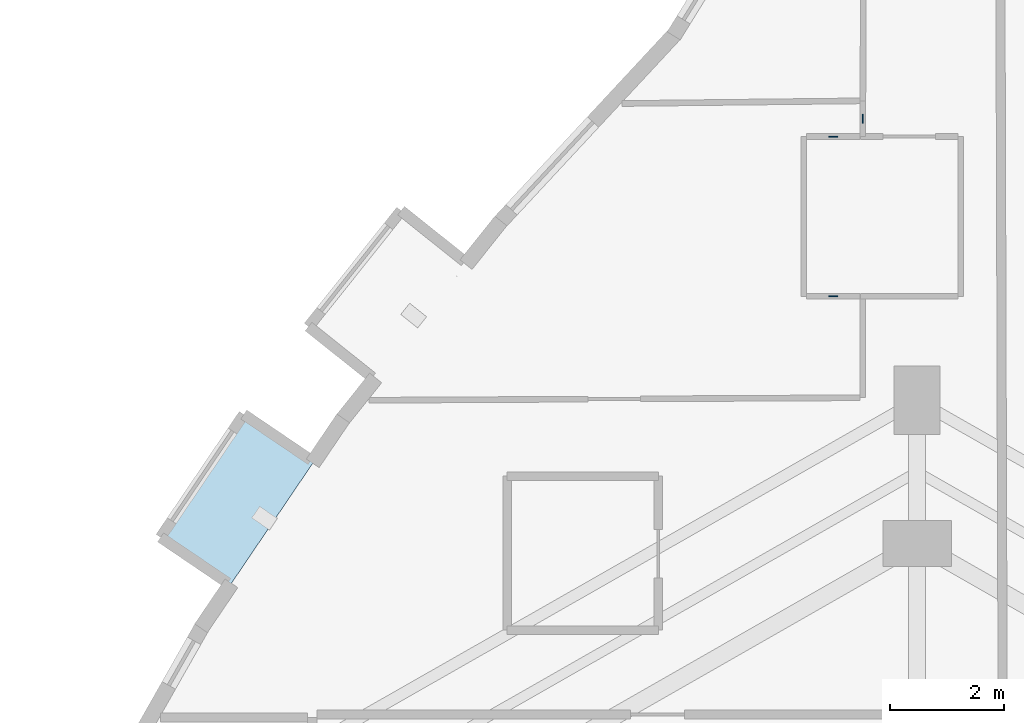
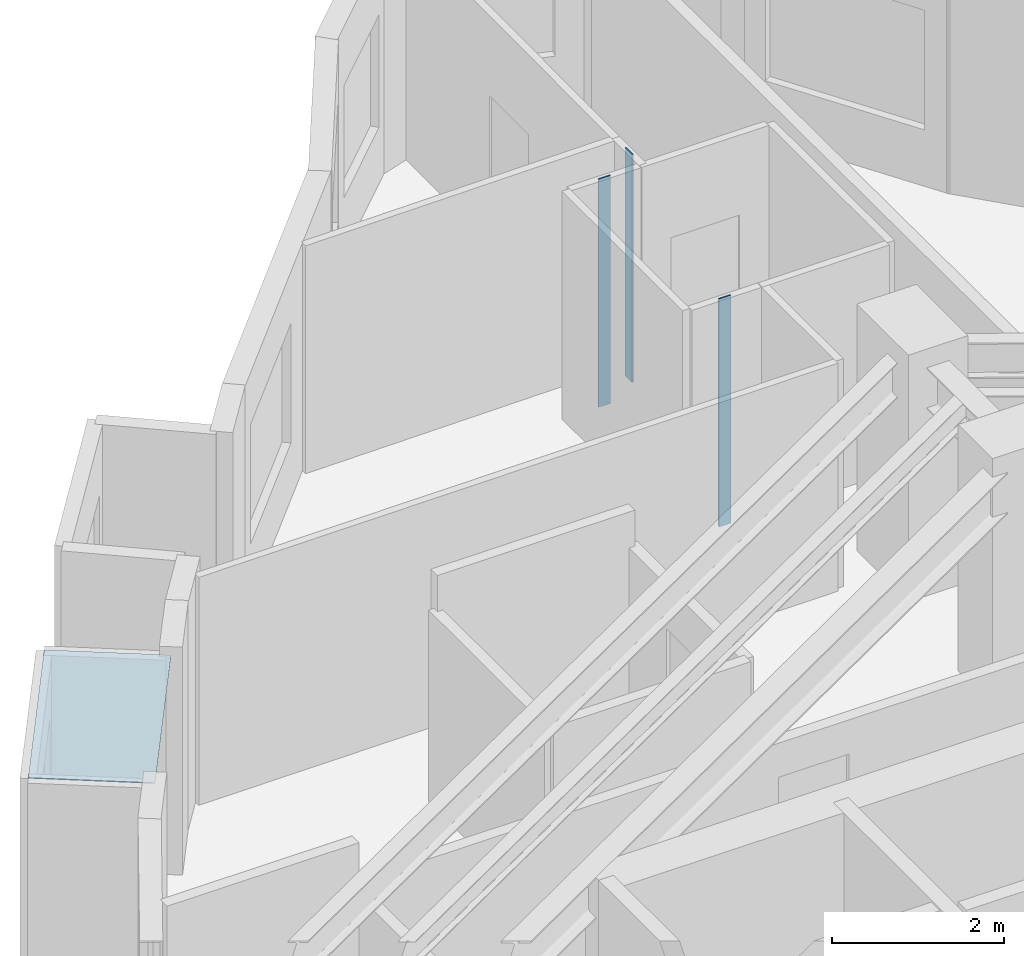
# One storey, part 7 of 14: 4 plates.
"""IFC4 building model written with IfcOpenShell, lengths in metres."""

import ifcopenshell
import ifcopenshell.guid

model = None  # the IFC model being written
_history = None  # IfcOwnerHistory: only IFC2X3 demands one
_inside = {}  # id of a spatial element -> (the spatial element, [elements in it])
_under = {}  # id of a project, library or spatial element -> (it, [spatial elements below it])
_declared = {}  # id of a project -> (the project, [libraries it declares])
_typed = {}  # id of a type object -> (the type object, [elements of that type])
_made_of = {}  # id of a material, layer set ... -> (it, [elements and type objects made of it])


def new_model(schema):
    """Start an empty IFC model of exactly this schema.

    Asked for "IFC4X3", IfcOpenShell would pick the latest addendum, in which some entities
    have other attributes; the version numbers below select the first issue.
    IFC2X3 requires an IfcOwnerHistory on every rooted entity: one is made here for all.
    """
    global model, _history
    if schema == "IFC4X3":
        model = ifcopenshell.file(schema_version=(4, 3, 0, 0))
    else:
        model = ifcopenshell.file(schema=schema)
    _inside.clear()
    _under.clear()
    _declared.clear()
    _typed.clear()
    _made_of.clear()
    _history = None
    if model.schema == "IFC2X3":
        org = make("IfcOrganization", Name="unknown")
        user = make(
            "IfcPersonAndOrganization",
            ThePerson=make("IfcPerson", FamilyName="unknown"),
            TheOrganization=org,
        )
        app = make(
            "IfcApplication",
            ApplicationDeveloper=org,
            Version="unknown",
            ApplicationFullName="unknown",
            ApplicationIdentifier="unknown",
        )
        _history = make(
            "IfcOwnerHistory",
            OwningUser=user,
            OwningApplication=app,
            ChangeAction="ADDED",
            CreationDate=0,
        )
    return model


def make(cls, **values):
    """One entity of the class cls with the attributes given. An attribute that is None is left unset."""
    return model.create_entity(
        cls, **{name: value for name, value in values.items() if value is not None}
    )


def rooted(cls, **values):
    """An entity with a GlobalId (a new one), such as an element, a storey or a relation."""
    return make(cls, GlobalId=ifcopenshell.guid.new(), OwnerHistory=_history, **values)


def si_unit(unit_type, name, prefix=None):
    """IfcSIUnit, for example si_unit("LENGTHUNIT", "METRE", prefix="MILLI")."""
    return make("IfcSIUnit", UnitType=unit_type, Prefix=prefix, Name=name)


def assignment(units):
    """IfcUnitAssignment: the units of a project."""
    return None if units is None else make("IfcUnitAssignment", Units=units)


def point(xyz):
    """IfcCartesianPoint."""
    return None if xyz is None else make("IfcCartesianPoint", Coordinates=xyz)


def direction(xyz):
    """IfcDirection."""
    return None if xyz is None else make("IfcDirection", DirectionRatios=xyz)


def frame(location, z_axis=None, x_axis=None):
    """IfcAxis2Placement3D, a coordinate frame: its origin and axes. An axis left out is left unset."""
    return make(
        "IfcAxis2Placement3D",
        Location=point(location),
        Axis=direction(z_axis),
        RefDirection=direction(x_axis),
    )


def frame_2d(location, x_axis=None):
    """IfcAxis2Placement2D, a coordinate frame in the plane: its origin and x axis."""
    return make(
        "IfcAxis2Placement2D", Location=point(location), RefDirection=direction(x_axis)
    )


def origin():
    """The frame at (0, 0, 0) with its axes left unset."""
    return frame((0.0, 0.0, 0.0))


def origin_2d():
    """The frame at (0, 0) in the plane with its x axis left unset."""
    return frame_2d((0.0, 0.0))


def place(relative_to, where):
    """IfcLocalPlacement: puts the frame where relative to a parent placement (None: the world)."""
    return make(
        "IfcLocalPlacement", PlacementRelTo=relative_to, RelativePlacement=where
    )


def context(
    kind, dimensions, precision=None, world=None, true_north=None, identifier=None
):
    """IfcGeometricRepresentationContext, for example the 3D "Model" context."""
    return make(
        "IfcGeometricRepresentationContext",
        ContextIdentifier=identifier,
        ContextType=kind,
        CoordinateSpaceDimension=dimensions,
        Precision=precision,
        WorldCoordinateSystem=world,
        TrueNorth=true_north,
    )


def subcontext(parent, identifier, kind, view, scale=None):
    """IfcGeometricRepresentationSubContext, for example "Body" below "Model"."""
    return make(
        "IfcGeometricRepresentationSubContext",
        ContextIdentifier=identifier,
        ContextType=kind,
        ParentContext=parent,
        TargetScale=scale,
        TargetView=view,
    )


def project(units=None, contexts=None):
    """IfcProject with its units and contexts."""
    return rooted(
        "IfcProject",
        Name="project",
        RepresentationContexts=contexts,
        UnitsInContext=assignment(units),
    )


def spatial(cls, under=None, at=None, **own):
    """A site, building, storey or space (cls), placed at a placement, below another one or the project."""
    s = rooted(cls, ObjectPlacement=at, **own)
    if under is not None:
        _under.setdefault(under.id(), (under, []))[1].append(s)
    return s


def polyline(points):
    """IfcPolyline through the points."""
    return make("IfcPolyline", Points=[point(p) for p in points])


def profile(cls, at=None, kind="AREA", **sizes):
    """A parametric profile (cls). Its sizes go by their IFC names, for example OverallWidth=200.0."""
    return make(cls, ProfileType=kind, Position=at, **sizes)


def rectangle(**sizes):
    """IfcRectangleProfileDef."""
    return profile("IfcRectangleProfileDef", **sizes)


def outline(outer, holes=None, kind="AREA"):
    """IfcArbitraryClosedProfileDef: a profile drawn as a closed curve; with holes, ...WithVoids."""
    if holes is None:
        return make("IfcArbitraryClosedProfileDef", ProfileType=kind, OuterCurve=outer)
    return make(
        "IfcArbitraryProfileDefWithVoids",
        ProfileType=kind,
        OuterCurve=outer,
        InnerCurves=holes,
    )


def extrude(swept, where, along, depth):
    """IfcExtrudedAreaSolid: the profile swept, set in the frame where, extruded along a direction by depth."""
    return make(
        "IfcExtrudedAreaSolid",
        SweptArea=swept,
        Position=where,
        ExtrudedDirection=direction(along),
        Depth=depth,
    )


def shape(context_of_items, identifier, shape_type, items):
    """IfcShapeRepresentation: the items that make up one representation, for example the "Body"."""
    return make(
        "IfcShapeRepresentation",
        ContextOfItems=context_of_items,
        RepresentationIdentifier=identifier,
        RepresentationType=shape_type,
        Items=items,
    )


def material(Name=None, Category=None):
    """IfcMaterial."""
    return make("IfcMaterial", Name=Name, Category=Category)


def layer(
    of_material, thickness, ventilated=None, Name=None, Category=None, Priority=None
):
    """IfcMaterialLayer: one layer of a wall or slab, of a material (None: an air gap)."""
    return make(
        "IfcMaterialLayer",
        Material=of_material,
        LayerThickness=thickness,
        IsVentilated=ventilated,
        Name=Name,
        Category=Category,
        Priority=Priority,
    )


def layer_set(layers, Name=None):
    """IfcMaterialLayerSet."""
    return make("IfcMaterialLayerSet", MaterialLayers=layers, LayerSetName=Name)


def made_of(thing, what):
    """Note that an element or type object is made of a material, layer set ...; save() writes the relation."""
    if what is not None:
        _made_of.setdefault(what.id(), (what, []))[1].append(thing)
    return thing


def type_object(cls, material=None, **own):
    """A type object (cls), such as IfcWallType, which elements share."""
    return made_of(rooted(cls, **own), material)


def element(
    cls,
    number,
    at=None,
    inside=None,
    cuts=None,
    type_object=None,
    material=None,
    context=None,
    identifier="Body",
    shape_type=None,
    held_by="IfcProductDefinitionShape",
    body=None,
    shapes=None,
    **own,
):
    """One element of the class cls, such as IfcWall. Its Tag is "e" and its number.

    at: its placement. inside: the storey or other place that contains it. cuts: it is an
    opening in that element (IfcRelVoidsElement). A single representation is given by context,
    identifier, shape_type and body (its items); several are given by shapes. held_by: the class
    of the entity that holds the representations. save() writes the other relations.
    """
    e = rooted(cls, Tag="e%d" % number, ObjectPlacement=at, **own)
    if body is not None:
        shapes = [shape(context, identifier, shape_type, body)]
    if shapes is not None:
        e.Representation = make(held_by, Representations=shapes)
    if inside is not None:
        _inside.setdefault(inside.id(), (inside, []))[1].append(e)
    if cuts is not None:
        rooted(
            "IfcRelVoidsElement", RelatingBuildingElement=cuts, RelatedOpeningElement=e
        )
    if type_object is not None:
        _typed.setdefault(type_object.id(), (type_object, []))[1].append(e)
    return made_of(e, material)


def aggregate(whole, parts):
    """IfcRelAggregates: a whole, such as a stair, and the parts it consists of."""
    return rooted("IfcRelAggregates", RelatingObject=whole, RelatedObjects=parts)


def save(model, path):
    """Write the relations noted so far, then the file.

    IfcRelAggregates (storeys below a building ...), IfcRelContainedInSpatialStructure (elements
    in a storey), IfcRelDefinesByType, IfcRelAssociatesMaterial and IfcRelDeclares: one each for
    every whole, place, type object, material and project.
    """
    for whole, parts in _under.values():
        aggregate(whole, parts)
    for where, things in _inside.values():
        rooted(
            "IfcRelContainedInSpatialStructure",
            RelatedElements=things,
            RelatingStructure=where,
        )
    for kind, things in _typed.values():
        rooted("IfcRelDefinesByType", RelatedObjects=things, RelatingType=kind)
    for what, things in _made_of.values():
        rooted("IfcRelAssociatesMaterial", RelatedObjects=things, RelatingMaterial=what)
    for by, libraries in _declared.values():
        rooted("IfcRelDeclares", RelatingContext=by, RelatedDefinitions=libraries)
    model.write(path)


model = new_model("IFC4")

# Units and contexts
model_context = context("Model", 3, precision=1e-05, world=origin(), true_north=direction((0.0, 1.0)))
body_context = subcontext(model_context, "Body", "Model", "MODEL_VIEW")
ifc_project = project(units=[si_unit("LENGTHUNIT", "METRE"), si_unit("AREAUNIT", "SQUARE_METRE"), si_unit("VOLUMEUNIT", "CUBIC_METRE"), si_unit("PLANEANGLEUNIT", "RADIAN"), si_unit("MASSUNIT", "GRAM", prefix="KILO")], contexts=[model_context])

# Site, building, storey
site_placement = place(None, origin())
site = spatial("IfcSite", under=ifc_project, at=site_placement, CompositionType="ELEMENT")
building_placement = place(site_placement, origin())
building = spatial("IfcBuilding", under=site, at=building_placement, Name="Miruveldt Soraemaru", CompositionType="ELEMENT")
storey_placement = place(building_placement, frame((0.0, 0.0, 142.39990234375)))
storey = spatial("IfcBuildingStorey", under=building, at=storey_placement, Name="L39", CompositionType="ELEMENT", Elevation=142.39990234375)

# Plates
ifc_material_1 = material(Name="Anodised aluminium EN AW-6063 T6", Category="aluminium")
ifc_layer_1 = layer(ifc_material_1, 0.02001953125, Name="Anodised aluminium EN AW-6063 T6", Category="aluminium")
ifc_layer_set_1 = layer_set([ifc_layer_1], Name="Anodised aluminium EN AW-6063 T6")
plate_type_1 = type_object("IfcPlateType", Name="PLT-PART-TRIM", PredefinedType="SHEET", material=ifc_layer_set_1)
for number, where, z_axis, x_axis, name in (
    (1, (42.532470703125, 64.72998046875, 0.0), (0.0, 0.0, 1.0), (-1.0, 0.0, 0.0), "L39 Partition Step Corner Trim Plate 026"),
    (2, (42.532470703125, 61.929931640625, 0.0), (0.0, 0.0, 1.0), (1.0, 0.0, 0.0), "L39 Partition Step Corner Trim Plate 028"),
    (3, (43.050048828125, 65.04345703125, 0.0), (0.0, 0.0, 1.0), (0.0, -1.0, 0.0), "L39 Partition Step Corner Trim Plate 020"),
):
    element("IfcPlate", number, at=place(storey_placement, frame(where, z_axis=z_axis, x_axis=x_axis)), inside=storey, type_object=plate_type_1, Name=name, PredefinedType="SHEET", context=body_context, shape_type="SweptSolid", body=[
        extrude(rectangle(XDim=0.159912109375, YDim=0.02001953125, at=origin_2d()), origin(), (0.0, 0.0, 1.0), 3.235107421875),
    ])
ifc_material_2 = material(Name="Standing-seam titanium-zinc sheet", Category="aluminium")
ifc_layer_2 = layer(ifc_material_2, 0.011962890625, Name="Standing-seam titanium-zinc sheet", Category="aluminium")
ifc_layer_set_2 = layer_set([ifc_layer_2], Name="Standing-seam titanium-zinc sheet")
plate_type_2 = type_object("IfcPlateType", Name="PLT-ZINC-12", PredefinedType="SHEET", material=ifc_layer_set_2)
plate_placement = place(storey_placement, frame((0.0, 0.0, 3.085205078125)))
element("IfcPlate", 4, at=plate_placement, inside=storey, type_object=plate_type_2, Name="L39 Bay Window Zinc Hood Sheet 4", PredefinedType="SHEET", context=body_context, shape_type="SweptSolid", body=[
    extrude(outline(polyline([(33.42626953125, 59.029052734375), (31.968017578125, 56.876220703125), (30.742919921875, 57.706298828125), (32.200927734375, 59.85888671875), (33.42626953125, 59.029052734375)])), origin(), (0.0, 0.0, 1.0), 0.011962890625),
])

save(model, "model.ifc")
